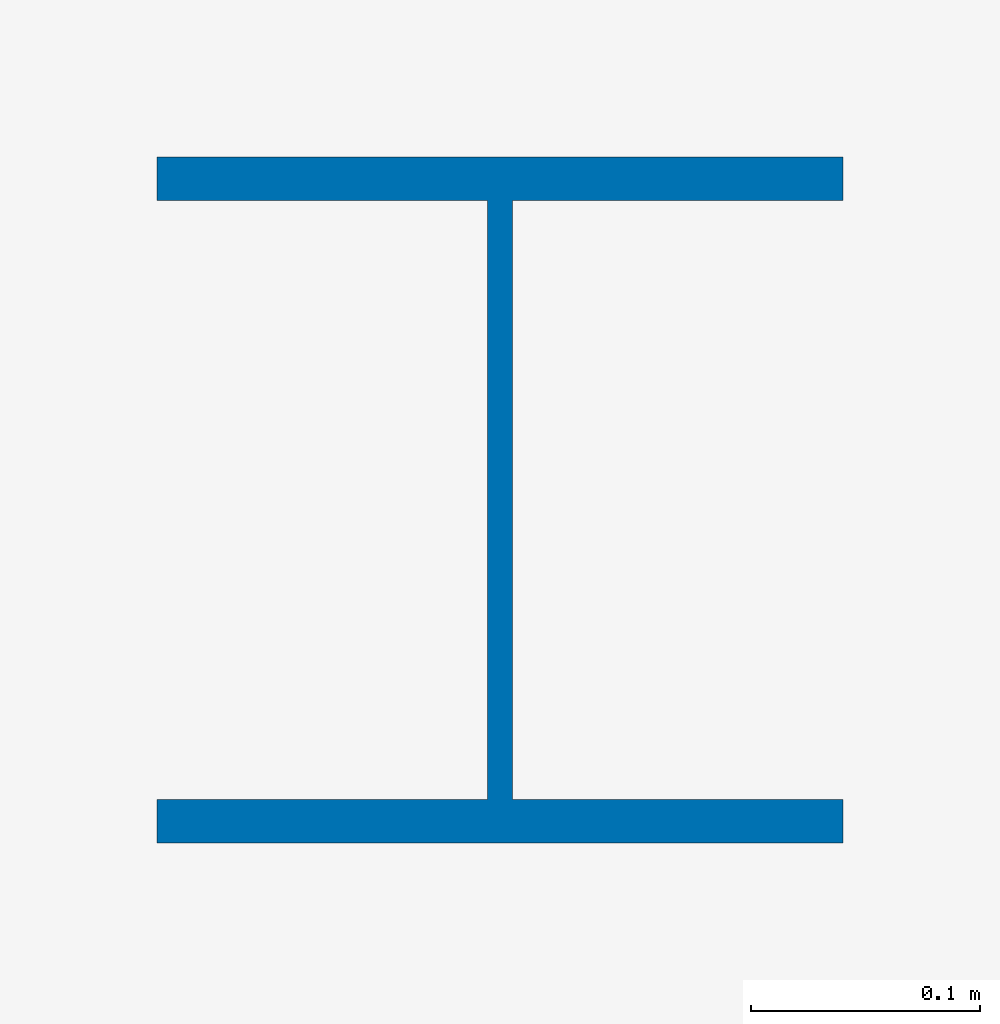
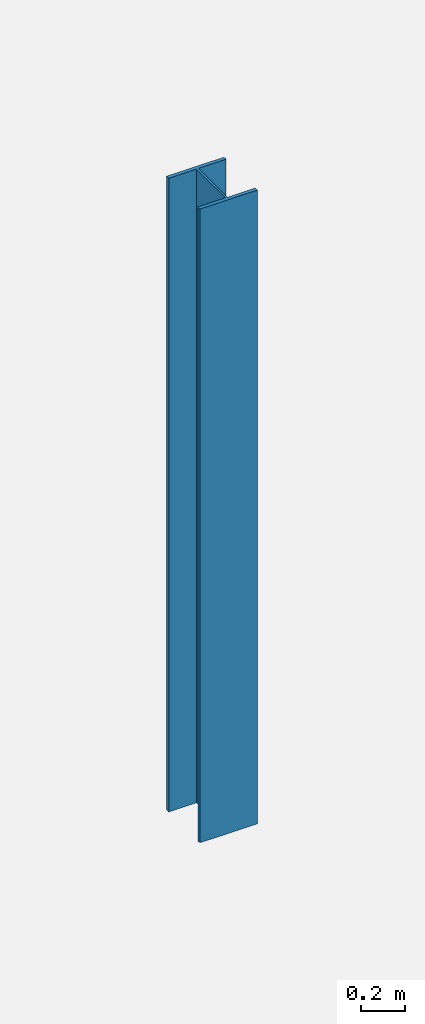
# One storey, part 4 of 20: 1 column.
"""IFC4 building model written with IfcOpenShell, lengths in metres."""

import ifcopenshell
import ifcopenshell.guid

model = None  # the IFC model being written
_history = None  # IfcOwnerHistory: only IFC2X3 demands one
_inside = {}  # id of a spatial element -> (the spatial element, [elements in it])
_under = {}  # id of a project, library or spatial element -> (it, [spatial elements below it])
_declared = {}  # id of a project -> (the project, [libraries it declares])
_typed = {}  # id of a type object -> (the type object, [elements of that type])
_made_of = {}  # id of a material, layer set ... -> (it, [elements and type objects made of it])


def new_model(schema):
    """Start an empty IFC model of exactly this schema.

    Asked for "IFC4X3", IfcOpenShell would pick the latest addendum, in which some entities
    have other attributes; the version numbers below select the first issue.
    IFC2X3 requires an IfcOwnerHistory on every rooted entity: one is made here for all.
    """
    global model, _history
    if schema == "IFC4X3":
        model = ifcopenshell.file(schema_version=(4, 3, 0, 0))
    else:
        model = ifcopenshell.file(schema=schema)
    _inside.clear()
    _under.clear()
    _declared.clear()
    _typed.clear()
    _made_of.clear()
    _history = None
    if model.schema == "IFC2X3":
        org = make("IfcOrganization", Name="unknown")
        user = make(
            "IfcPersonAndOrganization",
            ThePerson=make("IfcPerson", FamilyName="unknown"),
            TheOrganization=org,
        )
        app = make(
            "IfcApplication",
            ApplicationDeveloper=org,
            Version="unknown",
            ApplicationFullName="unknown",
            ApplicationIdentifier="unknown",
        )
        _history = make(
            "IfcOwnerHistory",
            OwningUser=user,
            OwningApplication=app,
            ChangeAction="ADDED",
            CreationDate=0,
        )
    return model


def make(cls, **values):
    """One entity of the class cls with the attributes given. An attribute that is None is left unset."""
    return model.create_entity(
        cls, **{name: value for name, value in values.items() if value is not None}
    )


def rooted(cls, **values):
    """An entity with a GlobalId (a new one), such as an element, a storey or a relation."""
    return make(cls, GlobalId=ifcopenshell.guid.new(), OwnerHistory=_history, **values)


def si_unit(unit_type, name, prefix=None):
    """IfcSIUnit, for example si_unit("LENGTHUNIT", "METRE", prefix="MILLI")."""
    return make("IfcSIUnit", UnitType=unit_type, Prefix=prefix, Name=name)


def assignment(units):
    """IfcUnitAssignment: the units of a project."""
    return None if units is None else make("IfcUnitAssignment", Units=units)


def point(xyz):
    """IfcCartesianPoint."""
    return None if xyz is None else make("IfcCartesianPoint", Coordinates=xyz)


def direction(xyz):
    """IfcDirection."""
    return None if xyz is None else make("IfcDirection", DirectionRatios=xyz)


def frame(location, z_axis=None, x_axis=None):
    """IfcAxis2Placement3D, a coordinate frame: its origin and axes. An axis left out is left unset."""
    return make(
        "IfcAxis2Placement3D",
        Location=point(location),
        Axis=direction(z_axis),
        RefDirection=direction(x_axis),
    )


def frame_2d(location, x_axis=None):
    """IfcAxis2Placement2D, a coordinate frame in the plane: its origin and x axis."""
    return make(
        "IfcAxis2Placement2D", Location=point(location), RefDirection=direction(x_axis)
    )


def origin():
    """The frame at (0, 0, 0) with its axes left unset."""
    return frame((0.0, 0.0, 0.0))


def origin_2d():
    """The frame at (0, 0) in the plane with its x axis left unset."""
    return frame_2d((0.0, 0.0))


def place(relative_to, where):
    """IfcLocalPlacement: puts the frame where relative to a parent placement (None: the world)."""
    return make(
        "IfcLocalPlacement", PlacementRelTo=relative_to, RelativePlacement=where
    )


def context(
    kind, dimensions, precision=None, world=None, true_north=None, identifier=None
):
    """IfcGeometricRepresentationContext, for example the 3D "Model" context."""
    return make(
        "IfcGeometricRepresentationContext",
        ContextIdentifier=identifier,
        ContextType=kind,
        CoordinateSpaceDimension=dimensions,
        Precision=precision,
        WorldCoordinateSystem=world,
        TrueNorth=true_north,
    )


def subcontext(parent, identifier, kind, view, scale=None):
    """IfcGeometricRepresentationSubContext, for example "Body" below "Model"."""
    return make(
        "IfcGeometricRepresentationSubContext",
        ContextIdentifier=identifier,
        ContextType=kind,
        ParentContext=parent,
        TargetScale=scale,
        TargetView=view,
    )


def project(units=None, contexts=None):
    """IfcProject with its units and contexts."""
    return rooted(
        "IfcProject",
        Name="project",
        RepresentationContexts=contexts,
        UnitsInContext=assignment(units),
    )


def spatial(cls, under=None, at=None, **own):
    """A site, building, storey or space (cls), placed at a placement, below another one or the project."""
    s = rooted(cls, ObjectPlacement=at, **own)
    if under is not None:
        _under.setdefault(under.id(), (under, []))[1].append(s)
    return s


def profile(cls, at=None, kind="AREA", **sizes):
    """A parametric profile (cls). Its sizes go by their IFC names, for example OverallWidth=200.0."""
    return make(cls, ProfileType=kind, Position=at, **sizes)


def i_section(**sizes):
    """IfcIShapeProfileDef."""
    return profile("IfcIShapeProfileDef", **sizes)


def extrude(swept, where, along, depth):
    """IfcExtrudedAreaSolid: the profile swept, set in the frame where, extruded along a direction by depth."""
    return make(
        "IfcExtrudedAreaSolid",
        SweptArea=swept,
        Position=where,
        ExtrudedDirection=direction(along),
        Depth=depth,
    )


def shape(context_of_items, identifier, shape_type, items):
    """IfcShapeRepresentation: the items that make up one representation, for example the "Body"."""
    return make(
        "IfcShapeRepresentation",
        ContextOfItems=context_of_items,
        RepresentationIdentifier=identifier,
        RepresentationType=shape_type,
        Items=items,
    )


def source(mapping_origin, context_of_items, identifier, shape_type, items):
    """IfcRepresentationMap: a shape defined once, which mapped items show again and again."""
    return make(
        "IfcRepresentationMap",
        MappingOrigin=mapping_origin,
        MappedRepresentation=shape(context_of_items, identifier, shape_type, items),
    )


def transform(
    local_origin,
    x_axis=None,
    y_axis=None,
    z_axis=None,
    scale=None,
    scale2=None,
    scale3=None,
    uniform=True,
):
    """IfcCartesianTransformationOperator3D, or its non-uniform kind. x_axis, y_axis, z_axis: its Axis1, 2, 3."""
    if uniform:
        return make(
            "IfcCartesianTransformationOperator3D",
            Axis1=direction(x_axis),
            Axis2=direction(y_axis),
            LocalOrigin=point(local_origin),
            Scale=scale,
            Axis3=direction(z_axis),
        )
    return make(
        "IfcCartesianTransformationOperator3DnonUniform",
        Axis1=direction(x_axis),
        Axis2=direction(y_axis),
        LocalOrigin=point(local_origin),
        Scale=scale,
        Axis3=direction(z_axis),
        Scale2=scale2,
        Scale3=scale3,
    )


def mapped(mapping_source, mapping_target):
    """IfcMappedItem: shows the shape of a source again, moved by a transform."""
    return make(
        "IfcMappedItem", MappingSource=mapping_source, MappingTarget=mapping_target
    )


def material(Name=None, Category=None):
    """IfcMaterial."""
    return make("IfcMaterial", Name=Name, Category=Category)


def material_profile(
    of_material, cross_section, Name=None, Category=None, Priority=None
):
    """IfcMaterialProfile: a cross section and its material."""
    return make(
        "IfcMaterialProfile",
        Name=Name,
        Material=of_material,
        Profile=cross_section,
        Priority=Priority,
        Category=Category,
    )


def profile_set(profiles, Name=None, composite=None):
    """IfcMaterialProfileSet."""
    return make(
        "IfcMaterialProfileSet",
        Name=Name,
        MaterialProfiles=profiles,
        CompositeProfile=composite,
    )


def made_of(thing, what):
    """Note that an element or type object is made of a material, layer set ...; save() writes the relation."""
    if what is not None:
        _made_of.setdefault(what.id(), (what, []))[1].append(thing)
    return thing


def type_object(cls, material=None, **own):
    """A type object (cls), such as IfcWallType, which elements share."""
    return made_of(rooted(cls, **own), material)


def element(
    cls,
    number,
    at=None,
    inside=None,
    cuts=None,
    type_object=None,
    material=None,
    context=None,
    identifier="Body",
    shape_type=None,
    held_by="IfcProductDefinitionShape",
    body=None,
    shapes=None,
    **own,
):
    """One element of the class cls, such as IfcWall. Its Tag is "e" and its number.

    at: its placement. inside: the storey or other place that contains it. cuts: it is an
    opening in that element (IfcRelVoidsElement). A single representation is given by context,
    identifier, shape_type and body (its items); several are given by shapes. held_by: the class
    of the entity that holds the representations. save() writes the other relations.
    """
    e = rooted(cls, Tag="e%d" % number, ObjectPlacement=at, **own)
    if body is not None:
        shapes = [shape(context, identifier, shape_type, body)]
    if shapes is not None:
        e.Representation = make(held_by, Representations=shapes)
    if inside is not None:
        _inside.setdefault(inside.id(), (inside, []))[1].append(e)
    if cuts is not None:
        rooted(
            "IfcRelVoidsElement", RelatingBuildingElement=cuts, RelatedOpeningElement=e
        )
    if type_object is not None:
        _typed.setdefault(type_object.id(), (type_object, []))[1].append(e)
    return made_of(e, material)


def aggregate(whole, parts):
    """IfcRelAggregates: a whole, such as a stair, and the parts it consists of."""
    return rooted("IfcRelAggregates", RelatingObject=whole, RelatedObjects=parts)


def save(model, path):
    """Write the relations noted so far, then the file.

    IfcRelAggregates (storeys below a building ...), IfcRelContainedInSpatialStructure (elements
    in a storey), IfcRelDefinesByType, IfcRelAssociatesMaterial and IfcRelDeclares: one each for
    every whole, place, type object, material and project.
    """
    for whole, parts in _under.values():
        aggregate(whole, parts)
    for where, things in _inside.values():
        rooted(
            "IfcRelContainedInSpatialStructure",
            RelatedElements=things,
            RelatingStructure=where,
        )
    for kind, things in _typed.values():
        rooted("IfcRelDefinesByType", RelatedObjects=things, RelatingType=kind)
    for what, things in _made_of.values():
        rooted("IfcRelAssociatesMaterial", RelatedObjects=things, RelatingMaterial=what)
    for by, libraries in _declared.values():
        rooted("IfcRelDeclares", RelatingContext=by, RelatedDefinitions=libraries)
    model.write(path)


model = new_model("IFC4")

# Units and contexts
model_context = context("Model", 3, precision=1e-05, world=origin(), true_north=direction((0.0, 1.0)))
body_context = subcontext(model_context, "Body", "Model", "MODEL_VIEW")
ifc_project = project(units=[si_unit("LENGTHUNIT", "METRE"), si_unit("AREAUNIT", "SQUARE_METRE"), si_unit("VOLUMEUNIT", "CUBIC_METRE"), si_unit("PLANEANGLEUNIT", "RADIAN"), si_unit("MASSUNIT", "GRAM", prefix="KILO")], contexts=[model_context])

# Site, building, storey
site_placement = place(None, origin())
site = spatial("IfcSite", under=ifc_project, at=site_placement, CompositionType="ELEMENT")
building_placement = place(site_placement, origin())
building = spatial("IfcBuilding", under=site, at=building_placement, Name="Olszyna Solenne Hotel", CompositionType="ELEMENT")
storey_placement = place(building_placement, frame((0.0, 0.0, 24.60009765625)))
storey = spatial("IfcBuildingStorey", under=building, at=storey_placement, Name="L05", CompositionType="ELEMENT", Elevation=24.60009765625)

# Column
ifc_material = material(Name="Steel S355J2", Category="steel")
ifc_material_profile = material_profile(ifc_material, i_section(OverallWidth=0.300048828125, OverallDepth=0.300048828125, WebThickness=0.010986328125, FlangeThickness=0.01904296875, at=origin_2d()), Name="HEB 300", Category="load-bearing")
ifc_profile_set = profile_set([ifc_material_profile], Name="Steel S355J2")
column_type = type_object("IfcColumnType", Name="COL-S2", PredefinedType="COLUMN", material=ifc_profile_set)
shared_shape = source(origin(), body_context, "Body", "SweptSolid", [
    extrude(i_section(OverallWidth=0.300048828125, OverallDepth=0.300048828125, WebThickness=0.010986328125, FlangeThickness=0.01904296875, at=origin_2d()), origin(), (0.0, 0.0, 1.0), 3.5),
])
column_placement = place(storey_placement, frame((60.800048828125, 42.0, 0.0), z_axis=(0.0, 0.0, 1.0), x_axis=(1.0, 0.0, 0.0)))
element("IfcColumn", 1, at=column_placement, inside=storey, type_object=column_type, Name="Terrace pavilion column COL-S2 C-L05-SG4", PredefinedType="COLUMN", context=body_context, shape_type="MappedRepresentation", body=[
    mapped(shared_shape, transform((0.0, 0.0, 0.0), x_axis=(1.0, 0.0, 0.0), y_axis=(0.0, 1.0, 0.0), z_axis=(0.0, 0.0, 1.0), scale=1.0)),
])

save(model, "model.ifc")
